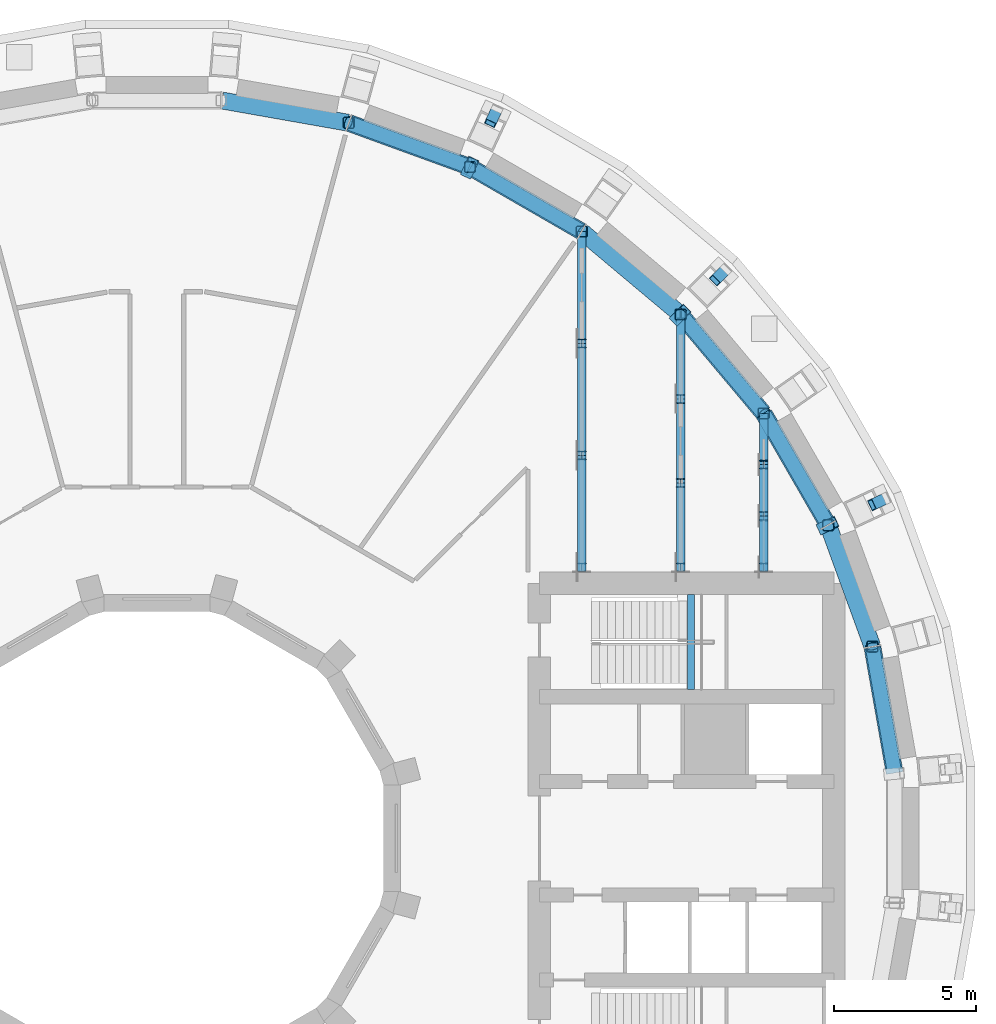
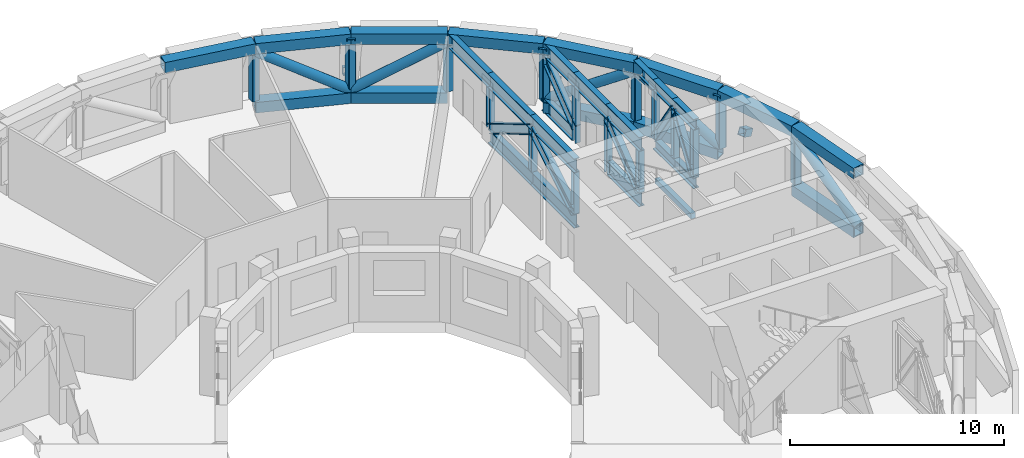
# One storey, part 5 of 19: 55 members, 7 beams.
"""IFC4 building model written with IfcOpenShell, lengths in metres."""

import ifcopenshell
import ifcopenshell.guid

model = None  # the IFC model being written
_history = None  # IfcOwnerHistory: only IFC2X3 demands one
_inside = {}  # id of a spatial element -> (the spatial element, [elements in it])
_under = {}  # id of a project, library or spatial element -> (it, [spatial elements below it])
_declared = {}  # id of a project -> (the project, [libraries it declares])
_typed = {}  # id of a type object -> (the type object, [elements of that type])
_made_of = {}  # id of a material, layer set ... -> (it, [elements and type objects made of it])


def new_model(schema):
    """Start an empty IFC model of exactly this schema.

    Asked for "IFC4X3", IfcOpenShell would pick the latest addendum, in which some entities
    have other attributes; the version numbers below select the first issue.
    IFC2X3 requires an IfcOwnerHistory on every rooted entity: one is made here for all.
    """
    global model, _history
    if schema == "IFC4X3":
        model = ifcopenshell.file(schema_version=(4, 3, 0, 0))
    else:
        model = ifcopenshell.file(schema=schema)
    _inside.clear()
    _under.clear()
    _declared.clear()
    _typed.clear()
    _made_of.clear()
    _history = None
    if model.schema == "IFC2X3":
        org = make("IfcOrganization", Name="unknown")
        user = make(
            "IfcPersonAndOrganization",
            ThePerson=make("IfcPerson", FamilyName="unknown"),
            TheOrganization=org,
        )
        app = make(
            "IfcApplication",
            ApplicationDeveloper=org,
            Version="unknown",
            ApplicationFullName="unknown",
            ApplicationIdentifier="unknown",
        )
        _history = make(
            "IfcOwnerHistory",
            OwningUser=user,
            OwningApplication=app,
            ChangeAction="ADDED",
            CreationDate=0,
        )
    return model


def make(cls, **values):
    """One entity of the class cls with the attributes given. An attribute that is None is left unset."""
    return model.create_entity(
        cls, **{name: value for name, value in values.items() if value is not None}
    )


def rooted(cls, **values):
    """An entity with a GlobalId (a new one), such as an element, a storey or a relation."""
    return make(cls, GlobalId=ifcopenshell.guid.new(), OwnerHistory=_history, **values)


def si_unit(unit_type, name, prefix=None):
    """IfcSIUnit, for example si_unit("LENGTHUNIT", "METRE", prefix="MILLI")."""
    return make("IfcSIUnit", UnitType=unit_type, Prefix=prefix, Name=name)


def assignment(units):
    """IfcUnitAssignment: the units of a project."""
    return None if units is None else make("IfcUnitAssignment", Units=units)


def point(xyz):
    """IfcCartesianPoint."""
    return None if xyz is None else make("IfcCartesianPoint", Coordinates=xyz)


def direction(xyz):
    """IfcDirection."""
    return None if xyz is None else make("IfcDirection", DirectionRatios=xyz)


def frame(location, z_axis=None, x_axis=None):
    """IfcAxis2Placement3D, a coordinate frame: its origin and axes. An axis left out is left unset."""
    return make(
        "IfcAxis2Placement3D",
        Location=point(location),
        Axis=direction(z_axis),
        RefDirection=direction(x_axis),
    )


def frame_2d(location, x_axis=None):
    """IfcAxis2Placement2D, a coordinate frame in the plane: its origin and x axis."""
    return make(
        "IfcAxis2Placement2D", Location=point(location), RefDirection=direction(x_axis)
    )


def origin():
    """The frame at (0, 0, 0) with its axes left unset."""
    return frame((0.0, 0.0, 0.0))


def origin_2d():
    """The frame at (0, 0) in the plane with its x axis left unset."""
    return frame_2d((0.0, 0.0))


def place(relative_to, where):
    """IfcLocalPlacement: puts the frame where relative to a parent placement (None: the world)."""
    return make(
        "IfcLocalPlacement", PlacementRelTo=relative_to, RelativePlacement=where
    )


def context(
    kind, dimensions, precision=None, world=None, true_north=None, identifier=None
):
    """IfcGeometricRepresentationContext, for example the 3D "Model" context."""
    return make(
        "IfcGeometricRepresentationContext",
        ContextIdentifier=identifier,
        ContextType=kind,
        CoordinateSpaceDimension=dimensions,
        Precision=precision,
        WorldCoordinateSystem=world,
        TrueNorth=true_north,
    )


def subcontext(parent, identifier, kind, view, scale=None):
    """IfcGeometricRepresentationSubContext, for example "Body" below "Model"."""
    return make(
        "IfcGeometricRepresentationSubContext",
        ContextIdentifier=identifier,
        ContextType=kind,
        ParentContext=parent,
        TargetScale=scale,
        TargetView=view,
    )


def project(units=None, contexts=None):
    """IfcProject with its units and contexts."""
    return rooted(
        "IfcProject",
        Name="project",
        RepresentationContexts=contexts,
        UnitsInContext=assignment(units),
    )


def spatial(cls, under=None, at=None, **own):
    """A site, building, storey or space (cls), placed at a placement, below another one or the project."""
    s = rooted(cls, ObjectPlacement=at, **own)
    if under is not None:
        _under.setdefault(under.id(), (under, []))[1].append(s)
    return s


def profile(cls, at=None, kind="AREA", **sizes):
    """A parametric profile (cls). Its sizes go by their IFC names, for example OverallWidth=200.0."""
    return make(cls, ProfileType=kind, Position=at, **sizes)


def rectangle(**sizes):
    """IfcRectangleProfileDef."""
    return profile("IfcRectangleProfileDef", **sizes)


def hollow_rectangle(**sizes):
    """IfcRectangleHollowProfileDef."""
    return profile("IfcRectangleHollowProfileDef", **sizes)


def hollow_circle(**sizes):
    """IfcCircleHollowProfileDef."""
    return profile("IfcCircleHollowProfileDef", **sizes)


def i_section(**sizes):
    """IfcIShapeProfileDef."""
    return profile("IfcIShapeProfileDef", **sizes)


def extrude(swept, where, along, depth):
    """IfcExtrudedAreaSolid: the profile swept, set in the frame where, extruded along a direction by depth."""
    return make(
        "IfcExtrudedAreaSolid",
        SweptArea=swept,
        Position=where,
        ExtrudedDirection=direction(along),
        Depth=depth,
    )


def shape(context_of_items, identifier, shape_type, items):
    """IfcShapeRepresentation: the items that make up one representation, for example the "Body"."""
    return make(
        "IfcShapeRepresentation",
        ContextOfItems=context_of_items,
        RepresentationIdentifier=identifier,
        RepresentationType=shape_type,
        Items=items,
    )


def material(Name=None, Category=None):
    """IfcMaterial."""
    return make("IfcMaterial", Name=Name, Category=Category)


def material_profile(
    of_material, cross_section, Name=None, Category=None, Priority=None
):
    """IfcMaterialProfile: a cross section and its material."""
    return make(
        "IfcMaterialProfile",
        Name=Name,
        Material=of_material,
        Profile=cross_section,
        Priority=Priority,
        Category=Category,
    )


def profile_set(profiles, Name=None, composite=None):
    """IfcMaterialProfileSet."""
    return make(
        "IfcMaterialProfileSet",
        Name=Name,
        MaterialProfiles=profiles,
        CompositeProfile=composite,
    )


def made_of(thing, what):
    """Note that an element or type object is made of a material, layer set ...; save() writes the relation."""
    if what is not None:
        _made_of.setdefault(what.id(), (what, []))[1].append(thing)
    return thing


def type_object(cls, material=None, **own):
    """A type object (cls), such as IfcWallType, which elements share."""
    return made_of(rooted(cls, **own), material)


def element(
    cls,
    number,
    at=None,
    inside=None,
    cuts=None,
    type_object=None,
    material=None,
    context=None,
    identifier="Body",
    shape_type=None,
    held_by="IfcProductDefinitionShape",
    body=None,
    shapes=None,
    **own,
):
    """One element of the class cls, such as IfcWall. Its Tag is "e" and its number.

    at: its placement. inside: the storey or other place that contains it. cuts: it is an
    opening in that element (IfcRelVoidsElement). A single representation is given by context,
    identifier, shape_type and body (its items); several are given by shapes. held_by: the class
    of the entity that holds the representations. save() writes the other relations.
    """
    e = rooted(cls, Tag="e%d" % number, ObjectPlacement=at, **own)
    if body is not None:
        shapes = [shape(context, identifier, shape_type, body)]
    if shapes is not None:
        e.Representation = make(held_by, Representations=shapes)
    if inside is not None:
        _inside.setdefault(inside.id(), (inside, []))[1].append(e)
    if cuts is not None:
        rooted(
            "IfcRelVoidsElement", RelatingBuildingElement=cuts, RelatedOpeningElement=e
        )
    if type_object is not None:
        _typed.setdefault(type_object.id(), (type_object, []))[1].append(e)
    return made_of(e, material)


def aggregate(whole, parts):
    """IfcRelAggregates: a whole, such as a stair, and the parts it consists of."""
    return rooted("IfcRelAggregates", RelatingObject=whole, RelatedObjects=parts)


def save(model, path):
    """Write the relations noted so far, then the file.

    IfcRelAggregates (storeys below a building ...), IfcRelContainedInSpatialStructure (elements
    in a storey), IfcRelDefinesByType, IfcRelAssociatesMaterial and IfcRelDeclares: one each for
    every whole, place, type object, material and project.
    """
    for whole, parts in _under.values():
        aggregate(whole, parts)
    for where, things in _inside.values():
        rooted(
            "IfcRelContainedInSpatialStructure",
            RelatedElements=things,
            RelatingStructure=where,
        )
    for kind, things in _typed.values():
        rooted("IfcRelDefinesByType", RelatedObjects=things, RelatingType=kind)
    for what, things in _made_of.values():
        rooted("IfcRelAssociatesMaterial", RelatedObjects=things, RelatingMaterial=what)
    for by, libraries in _declared.values():
        rooted("IfcRelDeclares", RelatingContext=by, RelatedDefinitions=libraries)
    model.write(path)


model = new_model("IFC4")

# Units and contexts
model_context = context("Model", 3, precision=1e-05, world=origin(), true_north=direction((0.0, 1.0)))
body_context = subcontext(model_context, "Body", "Model", "MODEL_VIEW")
ifc_project = project(units=[si_unit("LENGTHUNIT", "METRE"), si_unit("AREAUNIT", "SQUARE_METRE"), si_unit("VOLUMEUNIT", "CUBIC_METRE"), si_unit("PLANEANGLEUNIT", "RADIAN"), si_unit("MASSUNIT", "GRAM", prefix="KILO")], contexts=[model_context])

# Site, building, storey
site_placement = place(None, origin())
site = spatial("IfcSite", under=ifc_project, at=site_placement, CompositionType="ELEMENT")
building_placement = place(site_placement, origin())
building = spatial("IfcBuilding", under=site, at=building_placement, Name="Saqina Gate Tower", CompositionType="ELEMENT")
storey_placement = place(building_placement, frame((0.0, 0.0, 82.39990234375)))
storey = spatial("IfcBuildingStorey", under=building, at=storey_placement, Name="L23", CompositionType="ELEMENT", Elevation=82.39990234375)

# Beam
ifc_material_1 = material(Name="Concrete C40/50", Category="concrete")
ifc_material_profile_1 = material_profile(ifc_material_1, rectangle(XDim=0.25, YDim=0.300048828125, at=origin_2d()), Name="STAIR LANDING BEAM")
ifc_profile_set_1 = profile_set([ifc_material_profile_1], Name="Concrete C40/50")
beam_type_1 = type_object("IfcBeamType", Name="STAIR LANDING BEAM", PredefinedType="BEAM", material=ifc_profile_set_1)
beam_placement = place(storey_placement, frame((18.860107421875, 5.25, 1.85009765625), z_axis=(0.0, 1.0, 0.0), x_axis=(-1.0, 0.0, 0.0)))
element("IfcBeam", 1, at=beam_placement, inside=storey, type_object=beam_type_1, Name="EXIT STAIR 1 LANDING BEAM", PredefinedType="BEAM", context=body_context, shape_type="SweptSolid", body=[
    extrude(rectangle(XDim=0.25, YDim=0.300048828125, at=origin_2d()), origin(), (0.0, 0.0, 1.0), 3.35009765625),
])

# Members
ifc_material_2 = material(Name="Steel S460", Category="steel")
ifc_material_profile_2 = material_profile(ifc_material_2, hollow_rectangle(XDim=0.60009765625, YDim=0.60009765625, WallThickness=0.050048828125, at=origin_2d()), Name="BOX 600x600x50")
ifc_profile_set_2 = profile_set([ifc_material_profile_2], Name="Steel S460")
member_type_1 = type_object("IfcMemberType", Name="STR-BELT TRUSS L23 CHORD-BOX 600x600x50", PredefinedType="CHORD", material=ifc_profile_set_2)
for number, where, z_axis, x_axis, name in (
    (2, (26.0458984375, 2.304931640625, 0.300048828125), (-0.173661689795, 0.984805370364, 0.0), (-0.984805370364, -0.173661689795, 0.0), "BELT TRUSS L23 CHORD 001"),
    (3, (26.0458984375, 2.304931640625, 3.650146484375), (-0.173661689795, 0.984805370364, 0.0), (-0.984805370364, -0.173661689795, 0.0), "BELT TRUSS L23 CHORD 002"),
):
    element("IfcMember", number, at=place(storey_placement, frame(where, z_axis=z_axis, x_axis=x_axis)), inside=storey, type_object=member_type_1, Name=name, PredefinedType="CHORD", context=body_context, shape_type="SweptSolid", body=[
        extrude(hollow_rectangle(XDim=0.60009765625, YDim=0.60009765625, WallThickness=0.050048828125, at=origin_2d()), origin(), (0.0, 0.0, 1.0), 4.505615234375),
    ])
for number, where, z_axis, x_axis, name in (
    (4, (25.25, 6.792724609375, 3.650146484375), (-0.342004078246, 0.939698467841, 0.0), (-0.939698467841, -0.342004078246, 0.0), "BELT TRUSS L23 CHORD 004"),
    (5, (23.686767578125, 11.07421875, 0.300048828125), (-0.500008560247, 0.866020461467, 0.0), (-0.866020461467, -0.500008560247, 0.0), "BELT TRUSS L23 CHORD 005"),
    (6, (23.686767578125, 11.07421875, 3.650146484375), (-0.500008560247, 0.866020461467, 0.0), (-0.866020461467, -0.500008560247, 0.0), "BELT TRUSS L23 CHORD 006"),
    (7, (21.404052734375, 15.01904296875, 0.300048828125), (-0.642781549747, 0.766049527971, 0.0), (-0.766049527971, -0.642781549747, 0.0), "BELT TRUSS L23 CHORD 008"),
    (8, (21.404052734375, 15.01904296875, 3.650146484375), (-0.642781549747, 0.766049527971, 0.0), (-0.766049527971, -0.642781549747, 0.0), "BELT TRUSS L23 CHORD 009"),
    (9, (18.470703125, 18.5078125, 3.650146484375), (-0.766049527971, 0.642781549747, 0.0), (-0.642781549747, -0.766049527971, 0.0), "BELT TRUSS L23 CHORD 011"),
    (10, (14.976318359375, 21.433837890625, 0.300048828125), (-0.866020461467, 0.500008560247, 0.0), (-0.500008560247, -0.866020461467, 0.0), "BELT TRUSS L23 CHORD 012"),
    (11, (14.976318359375, 21.433837890625, 3.650146484375), (-0.866020461467, 0.500008560247, 0.0), (-0.500008560247, -0.866020461467, 0.0), "BELT TRUSS L23 CHORD 013"),
    (12, (11.02685546875, 23.708984375, 0.300048828125), (-0.939698467841, 0.342004078246, 0.0), (-0.342004078246, -0.939698467841, 0.0), "BELT TRUSS L23 CHORD 015"),
    (13, (11.02685546875, 23.708984375, 3.650146484375), (-0.939698467841, 0.342004078246, 0.0), (-0.342004078246, -0.939698467841, 0.0), "BELT TRUSS L23 CHORD 016"),
):
    element("IfcMember", number, at=place(storey_placement, frame(where, z_axis=z_axis, x_axis=x_axis)), inside=storey, type_object=member_type_1, Name=name, PredefinedType="CHORD", context=body_context, shape_type="SweptSolid", body=[
        extrude(hollow_rectangle(XDim=0.60009765625, YDim=0.60009765625, WallThickness=0.050048828125, at=origin_2d()), origin(), (0.0, 0.0, 1.0), 4.505859375),
    ])
member_1_placement = place(storey_placement, frame((6.7421875, 25.263427734375, 3.650146484375), z_axis=(-0.984805370364, 0.173661689795, 0.0), x_axis=(-0.173661689795, -0.984805370364, 0.0)))
element("IfcMember", 14, at=member_1_placement, inside=storey, type_object=member_type_1, Name="BELT TRUSS L23 CHORD 018", PredefinedType="CHORD", context=body_context, shape_type="SweptSolid", body=[
    extrude(hollow_rectangle(XDim=0.60009765625, YDim=0.60009765625, WallThickness=0.050048828125, at=origin_2d()), origin(), (0.0, 0.0, 1.0), 4.505615234375),
])
ifc_material_3 = material(Name="Steel S460", Category="steel")
ifc_material_profile_3 = material_profile(ifc_material_3, hollow_circle(Radius=0.25390625, WallThickness=0.02001953125, at=origin_2d()), Name="CHS 508x20")
ifc_profile_set_3 = profile_set([ifc_material_profile_3], Name="Steel S460")
member_type_2 = type_object("IfcMemberType", Name="STR-BELT TRUSS L23 DIAGONAL-CHS 508x20", PredefinedType="BRACE", material=ifc_profile_set_3)
for number, where, z_axis, x_axis, name in (
    (15, (26.05224609375, 2.26904296875, 0.593994140625), (-0.148698900419, 0.843251056415, 0.516542634125), (-0.984805558509, -0.173660622851, 0.0), "BELT TRUSS L23 DIAGONAL 003"),
    (16, (23.705078125, 11.04248046875, 0.593994140625), (-0.428116708438, 0.741545438674, 0.516552462329), (-0.866032862936, -0.499987080147, 0.0), "BELT TRUSS L23 DIAGONAL 007"),
):
    element("IfcMember", number, at=place(storey_placement, frame(where, z_axis=z_axis, x_axis=x_axis)), inside=storey, type_object=member_type_2, Name=name, PredefinedType="BRACE", context=body_context, shape_type="SweptSolid", body=[
        extrude(hollow_circle(Radius=0.25390625, WallThickness=0.02001953125, at=origin_2d()), origin(), (0.0, 0.0, 1.0), 5.347412109375),
    ])
member_2_placement = place(storey_placement, frame((21.427490234375, 14.9912109375, 3.356201171875), z_axis=(-0.550413681334, 0.655921811524, -0.51653785589), x_axis=(-0.766027230589, -0.642808122223, 0.0)))
element("IfcMember", 17, at=member_2_placement, inside=storey, type_object=member_type_2, Name="BELT TRUSS L23 DIAGONAL 010", PredefinedType="BRACE", context=body_context, shape_type="SweptSolid", body=[
    extrude(hollow_circle(Radius=0.25390625, WallThickness=0.02001953125, at=origin_2d()), origin(), (0.0, 0.0, 1.0), 5.34765625),
])
member_3_placement = place(storey_placement, frame((15.0078125, 21.415771484375, 3.356201171875), z_axis=(-0.741545438674, 0.428116708438, -0.516552462329), x_axis=(-0.499987080147, -0.866032862936, 0.0)))
element("IfcMember", 18, at=member_3_placement, inside=storey, type_object=member_type_2, Name="BELT TRUSS L23 DIAGONAL 014", PredefinedType="BRACE", context=body_context, shape_type="SweptSolid", body=[
    extrude(hollow_circle(Radius=0.25390625, WallThickness=0.02001953125, at=origin_2d()), origin(), (0.0, 0.0, 1.0), 5.347412109375),
])
member_4_placement = place(storey_placement, frame((11.06103515625, 23.696533203125, 0.593994140625), z_axis=(-0.804614184713, 0.292844315993, 0.516563858926), x_axis=(-0.34200849274, -0.939696861171, 0.0)))
element("IfcMember", 19, at=member_4_placement, inside=storey, type_object=member_type_2, Name="BELT TRUSS L23 DIAGONAL 017", PredefinedType="BRACE", context=body_context, shape_type="SweptSolid", body=[
    extrude(hollow_circle(Radius=0.25390625, WallThickness=0.02001953125, at=origin_2d()), origin(), (0.0, 0.0, 1.0), 5.34716796875),
])
ifc_material_4 = material(Name="Steel S460", Category="steel")
ifc_material_profile_4 = material_profile(ifc_material_4, hollow_rectangle(XDim=0.39990234375, YDim=0.39990234375, WallThickness=0.02001953125, InnerFilletRadius=0.0400390625, OuterFilletRadius=0.06005859375, at=origin_2d()), Name="SHS 400x400x20")
ifc_profile_set_4 = profile_set([ifc_material_profile_4], Name="Steel S460")
member_type_3 = type_object("IfcMemberType", Name="STR-BELT TRUSS L23 POST-SHS 400x400x20", PredefinedType="POST", material=ifc_profile_set_4)
for number, where, z_axis, x_axis, name in (
    (20, (25.259033203125, 6.76806640625, 0.60009765625), (0.0, 0.0, 1.0), (1.0, 0.0, 0.0), "BELT TRUSS L23 POST 085"),
    (21, (23.699951171875, 11.051513671875, 0.60009765625), (0.0, 0.0, 1.0), (1.0, 0.0, 0.0), "BELT TRUSS L23 POST 086"),
    (22, (21.4208984375, 14.9990234375, 0.60009765625), (0.0, 0.0, 1.0), (1.0, 0.0, 0.0), "BELT TRUSS L23 POST 087"),
    (23, (18.49072265625, 18.49072265625, 0.60009765625), (0.0, 0.0, 1.0), (1.0, 0.0, 0.0), "BELT TRUSS L23 POST 088"),
    (24, (14.9990234375, 21.4208984375, 0.60009765625), (0.0, 0.0, 1.0), (1.0, 0.0, 0.0), "BELT TRUSS L23 POST 089"),
    (25, (11.051513671875, 23.699951171875, 0.60009765625), (0.0, 0.0, 1.0), (1.0, 0.0, 0.0), "BELT TRUSS L23 POST 090"),
    (26, (6.76806640625, 25.259033203125, 0.60009765625), (0.0, 0.0, 1.0), (1.0, 0.0, 0.0), "BELT TRUSS L23 POST 091"),
):
    element("IfcMember", number, at=place(storey_placement, frame(where, z_axis=z_axis, x_axis=x_axis)), inside=storey, type_object=member_type_3, Name=name, PredefinedType="POST", context=body_context, shape_type="SweptSolid", body=[
        extrude(hollow_rectangle(XDim=0.39990234375, YDim=0.39990234375, WallThickness=0.02001953125, InnerFilletRadius=0.0400390625, OuterFilletRadius=0.06005859375, at=origin_2d()), origin(), (0.0, 0.0, 1.0), 2.75),
    ])

# Beams
ifc_material_5 = material(Name="Steel S460", Category="steel")
ifc_material_profile_5 = material_profile(ifc_material_5, hollow_rectangle(XDim=0.39990234375, YDim=0.39990234375, WallThickness=0.030029296875, at=origin_2d()), Name="BOX 400x400x30")
ifc_profile_set_5 = profile_set([ifc_material_profile_5], Name="Steel S460")
beam_type_2 = type_object("IfcBeamType", Name="STR-NODE TIE BEAM L23-BOX 400x400x30", PredefinedType="BEAM", material=ifc_profile_set_5)
for number, where, z_axis, x_axis, name in (
    (27, (25.7392578125, 12.00244140625, 0.18212890625), (-0.824702421307, -0.384484184664, 0.414774430305), (0.42254525848, -0.906341825437, 0.0), "NODE TIE BEAM L23 03 FOOT"),
    (28, (23.427978515625, 10.9248046875, 3.517333984375), (0.824702421307, 0.384484184664, 0.414774430305), (-0.42254525848, 0.906341825437, 0.0), "NODE TIE BEAM L23 03 HEAD"),
    (29, (20.081787109375, 20.081787109375, 0.18212890625), (-0.643405223047, -0.643405223047, 0.414800479642), (0.707106781187, -0.707106781187, 0.0), "NODE TIE BEAM L23 05 FOOT"),
    (30, (18.27880859375, 18.27880859375, 3.517333984375), (0.643405223047, 0.643405223047, 0.414800479642), (-0.707106781187, 0.707106781187, 0.0), "NODE TIE BEAM L23 05 HEAD"),
    (31, (12.00244140625, 25.7392578125, 0.18212890625), (-0.384484184664, -0.824702421307, 0.414774430305), (0.906341825437, -0.42254525848, 0.0), "NODE TIE BEAM L23 07 FOOT"),
    (32, (10.9248046875, 23.427978515625, 3.517333984375), (0.384484184664, 0.824702421307, 0.414774430305), (-0.906341825437, 0.42254525848, 0.0), "NODE TIE BEAM L23 07 HEAD"),
):
    element("IfcBeam", number, at=place(storey_placement, frame(where, z_axis=z_axis, x_axis=x_axis)), inside=storey, type_object=beam_type_2, Name=name, PredefinedType="BEAM", context=body_context, shape_type="SweptSolid", body=[
        extrude(hollow_rectangle(XDim=0.39990234375, YDim=0.39990234375, WallThickness=0.030029296875, at=origin_2d()), origin(), (0.0, 0.0, 1.0), 0.6044921875),
    ])

# Members
ifc_material_6 = material(Name="Steel S460", Category="steel")
ifc_material_profile_6 = material_profile(ifc_material_6, i_section(OverallWidth=0.304931640625, OverallDepth=0.6201171875, WebThickness=0.02099609375, FlangeThickness=0.0400390625, FilletRadius=0.027099609375, at=origin_2d()), Name="HE 600 M")
ifc_profile_set_6 = profile_set([ifc_material_profile_6], Name="Steel S460")
member_type_4 = type_object("IfcMemberType", Name="STR-OUTRIGGER TRUSS L23 CHORD-HE 600 M", PredefinedType="CHORD", material=ifc_profile_set_6)
for number, where, z_axis, x_axis, name in (
    (33, (21.4208984375, 9.41796875, 0.31005859375), (0.0, 1.0, 0.0), (-1.0, 0.0, 0.0), "OUTRIGGER TRUSS L23 CHORD 120"),
    (34, (21.4208984375, 9.41796875, 3.64013671875), (0.0, 1.0, 0.0), (-1.0, 0.0, 0.0), "OUTRIGGER TRUSS L23 CHORD 121"),
):
    element("IfcMember", number, at=place(storey_placement, frame(where, z_axis=z_axis, x_axis=x_axis)), inside=storey, type_object=member_type_4, Name=name, PredefinedType="CHORD", context=body_context, shape_type="SweptSolid", body=[
        extrude(i_section(OverallWidth=0.304931640625, OverallDepth=0.6201171875, WebThickness=0.02099609375, FlangeThickness=0.0400390625, FilletRadius=0.027099609375, at=origin_2d()), origin(), (0.0, 0.0, 1.0), 1.96044921875),
    ])
for number, where, z_axis, x_axis, name in (
    (35, (21.4208984375, 11.37841796875, 0.31005859375), (0.0, 1.0, 0.0), (-1.0, 0.0, 0.0), "OUTRIGGER TRUSS L23 CHORD 123"),
    (36, (21.4208984375, 11.37841796875, 3.64013671875), (0.0, 1.0, 0.0), (-1.0, 0.0, 0.0), "OUTRIGGER TRUSS L23 CHORD 124"),
    (37, (21.4208984375, 13.188720703125, 3.64013671875), (0.0, 1.0, 0.0), (-1.0, 0.0, 0.0), "OUTRIGGER TRUSS L23 CHORD 126"),
):
    element("IfcMember", number, at=place(storey_placement, frame(where, z_axis=z_axis, x_axis=x_axis)), inside=storey, type_object=member_type_4, Name=name, PredefinedType="CHORD", context=body_context, shape_type="SweptSolid", body=[
        extrude(i_section(OverallWidth=0.304931640625, OverallDepth=0.6201171875, WebThickness=0.02099609375, FlangeThickness=0.0400390625, FilletRadius=0.027099609375, at=origin_2d()), origin(), (0.0, 0.0, 1.0), 1.810302734375),
    ])
ifc_material_7 = material(Name="Steel S460", Category="steel")
ifc_material_profile_7 = material_profile(ifc_material_7, i_section(OverallWidth=0.306884765625, OverallDepth=0.431884765625, WebThickness=0.02099609375, FlangeThickness=0.0400390625, FilletRadius=0.027099609375, at=origin_2d()), Name="HE 400 M")
ifc_profile_set_7 = profile_set([ifc_material_profile_7], Name="Steel S460")
member_type_5 = type_object("IfcMemberType", Name="STR-OUTRIGGER TRUSS L23 DIAGONAL-HE 400 M", PredefinedType="BRACE", material=ifc_profile_set_7)
for number, where, z_axis, x_axis, name in (
    (38, (21.4208984375, 9.561279296875, 0.610107421875), (0.0, 0.555489335201, 0.831523660805), (-1.0, 0.0, 0.0), "OUTRIGGER TRUSS L23 DIAGONAL 122"),
    (39, (21.4208984375, 11.37158203125, 3.340087890625), (0.0, 0.555489335201, -0.831523660805), (-1.0, 0.0, 0.0), "OUTRIGGER TRUSS L23 DIAGONAL 125"),
):
    element("IfcMember", number, at=place(storey_placement, frame(where, z_axis=z_axis, x_axis=x_axis)), inside=storey, type_object=member_type_5, Name=name, PredefinedType="BRACE", context=body_context, shape_type="SweptSolid", body=[
        extrude(i_section(OverallWidth=0.306884765625, OverallDepth=0.431884765625, WebThickness=0.02099609375, FlangeThickness=0.0400390625, FilletRadius=0.027099609375, at=origin_2d()), origin(), (0.0, 0.0, 1.0), 3.283203125),
    ])
ifc_material_8 = material(Name="Steel S460", Category="steel")
ifc_material_profile_8 = material_profile(ifc_material_8, i_section(OverallWidth=0.300048828125, OverallDepth=0.800048828125, WebThickness=0.017578125, FlangeThickness=0.032958984375, FilletRadius=0.030029296875, at=origin_2d()), Name="HE 800 B")
ifc_profile_set_8 = profile_set([ifc_material_profile_8], Name="Steel S460")
member_type_6 = type_object("IfcMemberType", Name="STR-OUTRIGGER TRUSS L23 LONG CHORD-HE 800 B", PredefinedType="CHORD", material=ifc_profile_set_8)
member_5_placement = place(storey_placement, frame((18.49072265625, 9.41796875, 0.400146484375), z_axis=(0.0, 1.0, 0.0), x_axis=(-1.0, 0.0, 0.0)))
element("IfcMember", 40, at=member_5_placement, inside=storey, type_object=member_type_6, Name="OUTRIGGER TRUSS L23 LONG CHORD 160", PredefinedType="CHORD", context=body_context, shape_type="SweptSolid", body=[
    extrude(i_section(OverallWidth=0.300048828125, OverallDepth=0.800048828125, WebThickness=0.017578125, FlangeThickness=0.032958984375, FilletRadius=0.030029296875, at=origin_2d()), origin(), (0.0, 0.0, 1.0), 2.974365234375),
])
member_6_placement = place(storey_placement, frame((18.49072265625, 9.41796875, 3.550048828125), z_axis=(0.0, 1.0, 0.0), x_axis=(-1.0, 0.0, 0.0)))
element("IfcMember", 41, at=member_6_placement, inside=storey, type_object=member_type_6, Name="OUTRIGGER TRUSS L23 LONG CHORD 161", PredefinedType="CHORD", context=body_context, shape_type="SweptSolid", body=[
    extrude(i_section(OverallWidth=0.300048828125, OverallDepth=0.800048828125, WebThickness=0.017578125, FlangeThickness=0.032958984375, FilletRadius=0.030029296875, at=origin_2d()), origin(), (0.0, 0.0, 1.0), 3.124267578125),
])
member_7_placement = place(storey_placement, frame((18.49072265625, 15.66650390625, 0.400146484375), z_axis=(0.0, 1.0, 0.0), x_axis=(-1.0, 0.0, 0.0)))
element("IfcMember", 42, at=member_7_placement, inside=storey, type_object=member_type_6, Name="OUTRIGGER TRUSS L23 LONG CHORD 163", PredefinedType="CHORD", context=body_context, shape_type="SweptSolid", body=[
    extrude(i_section(OverallWidth=0.300048828125, OverallDepth=0.800048828125, WebThickness=0.017578125, FlangeThickness=0.032958984375, FilletRadius=0.030029296875, at=origin_2d()), origin(), (0.0, 0.0, 1.0), 2.82421875),
])
member_8_placement = place(storey_placement, frame((18.49072265625, 15.5166015625, 3.550048828125), z_axis=(0.0, 1.0, 0.0), x_axis=(-1.0, 0.0, 0.0)))
element("IfcMember", 43, at=member_8_placement, inside=storey, type_object=member_type_6, Name="OUTRIGGER TRUSS L23 LONG CHORD 164", PredefinedType="CHORD", context=body_context, shape_type="SweptSolid", body=[
    extrude(i_section(OverallWidth=0.300048828125, OverallDepth=0.800048828125, WebThickness=0.017578125, FlangeThickness=0.032958984375, FilletRadius=0.030029296875, at=origin_2d()), origin(), (0.0, 0.0, 1.0), 2.97412109375),
])
member_9_placement = place(storey_placement, frame((18.49072265625, 12.542236328125, 3.550048828125), z_axis=(0.0, 1.0, 0.0), x_axis=(-1.0, 0.0, 0.0)))
element("IfcMember", 44, at=member_9_placement, inside=storey, type_object=member_type_6, Name="OUTRIGGER TRUSS L23 LONG CHORD 166", PredefinedType="CHORD", context=body_context, shape_type="SweptSolid", body=[
    extrude(i_section(OverallWidth=0.300048828125, OverallDepth=0.800048828125, WebThickness=0.017578125, FlangeThickness=0.032958984375, FilletRadius=0.030029296875, at=origin_2d()), origin(), (0.0, 0.0, 1.0), 2.974365234375),
])
for number, where, z_axis, x_axis, name in (
    (45, (14.9990234375, 9.41796875, 0.400146484375), (0.0, 1.0, 0.0), (-1.0, 0.0, 0.0), "OUTRIGGER TRUSS L23 LONG CHORD 200"),
    (46, (14.9990234375, 9.41796875, 3.550048828125), (0.0, 1.0, 0.0), (-1.0, 0.0, 0.0), "OUTRIGGER TRUSS L23 LONG CHORD 201"),
):
    element("IfcMember", number, at=place(storey_placement, frame(where, z_axis=z_axis, x_axis=x_axis)), inside=storey, type_object=member_type_6, Name=name, PredefinedType="CHORD", context=body_context, shape_type="SweptSolid", body=[
        extrude(i_section(OverallWidth=0.300048828125, OverallDepth=0.800048828125, WebThickness=0.017578125, FlangeThickness=0.032958984375, FilletRadius=0.030029296875, at=origin_2d()), origin(), (0.0, 0.0, 1.0), 4.10107421875),
    ])
for number, where, z_axis, x_axis, name in (
    (47, (14.9990234375, 13.51904296875, 0.400146484375), (0.0, 1.0, 0.0), (-1.0, 0.0, 0.0), "OUTRIGGER TRUSS L23 LONG CHORD 203"),
    (48, (14.9990234375, 13.51904296875, 3.550048828125), (0.0, 1.0, 0.0), (-1.0, 0.0, 0.0), "OUTRIGGER TRUSS L23 LONG CHORD 204"),
    (49, (14.9990234375, 17.469970703125, 3.550048828125), (0.0, 1.0, 0.0), (-1.0, 0.0, 0.0), "OUTRIGGER TRUSS L23 LONG CHORD 206"),
):
    element("IfcMember", number, at=place(storey_placement, frame(where, z_axis=z_axis, x_axis=x_axis)), inside=storey, type_object=member_type_6, Name=name, PredefinedType="CHORD", context=body_context, shape_type="SweptSolid", body=[
        extrude(i_section(OverallWidth=0.300048828125, OverallDepth=0.800048828125, WebThickness=0.017578125, FlangeThickness=0.032958984375, FilletRadius=0.030029296875, at=origin_2d()), origin(), (0.0, 0.0, 1.0), 3.950927734375),
    ])
ifc_material_9 = material(Name="Steel S460", Category="steel")
ifc_material_profile_9 = material_profile(ifc_material_9, i_section(OverallWidth=0.305908203125, OverallDepth=0.52392578125, WebThickness=0.02099609375, FlangeThickness=0.0400390625, FilletRadius=0.027099609375, at=origin_2d()), Name="HE 500 M")
ifc_profile_set_9 = profile_set([ifc_material_profile_9], Name="Steel S460")
member_type_7 = type_object("IfcMemberType", Name="STR-OUTRIGGER TRUSS L23 LONG DIAGONAL-HE 500 M", PredefinedType="BRACE", material=ifc_profile_set_9)
for number, where, z_axis, x_axis, name in (
    (50, (18.49072265625, 9.55859375, 0.792724609375), (0.0, 0.784663187604, 0.619922319342), (-1.0, 0.0, 0.0), "OUTRIGGER TRUSS L23 LONG DIAGONAL 162"),
    (51, (18.49072265625, 15.507080078125, 0.792724609375), (0.0, 0.784663187604, 0.619922319342), (-1.0, 0.0, 0.0), "OUTRIGGER TRUSS L23 LONG DIAGONAL 165"),
):
    element("IfcMember", number, at=place(storey_placement, frame(where, z_axis=z_axis, x_axis=x_axis)), inside=storey, type_object=member_type_7, Name=name, PredefinedType="BRACE", context=body_context, shape_type="SweptSolid", body=[
        extrude(i_section(OverallWidth=0.305908203125, OverallDepth=0.52392578125, WebThickness=0.02099609375, FlangeThickness=0.0400390625, FilletRadius=0.027099609375, at=origin_2d()), origin(), (0.0, 0.0, 1.0), 3.814697265625),
    ])
for number, where, z_axis, x_axis, name in (
    (52, (14.9990234375, 9.5576171875, 0.7939453125), (0.0, 0.859463118365, 0.511197758378), (-1.0, 0.0, 0.0), "OUTRIGGER TRUSS L23 LONG DIAGONAL 202"),
    (53, (14.9990234375, 13.508544921875, 3.15625), (0.0, 0.859463118365, -0.511197758378), (-1.0, 0.0, 0.0), "OUTRIGGER TRUSS L23 LONG DIAGONAL 205"),
):
    element("IfcMember", number, at=place(storey_placement, frame(where, z_axis=z_axis, x_axis=x_axis)), inside=storey, type_object=member_type_7, Name=name, PredefinedType="BRACE", context=body_context, shape_type="SweptSolid", body=[
        extrude(i_section(OverallWidth=0.305908203125, OverallDepth=0.52392578125, WebThickness=0.02099609375, FlangeThickness=0.0400390625, FilletRadius=0.027099609375, at=origin_2d()), origin(), (0.0, 0.0, 1.0), 4.62109375),
    ])
ifc_material_10 = material(Name="Steel S460", Category="steel")
ifc_material_profile_10 = material_profile(ifc_material_10, i_section(OverallWidth=0.300048828125, OverallDepth=0.300048828125, WebThickness=0.010986328125, FlangeThickness=0.01904296875, FilletRadius=0.027099609375, at=origin_2d()), Name="HE 300 B")
ifc_profile_set_10 = profile_set([ifc_material_profile_10], Name="Steel S460")
member_type_8 = type_object("IfcMemberType", Name="STR-OUTRIGGER TRUSS L23 LONG POST-HE 300 B", PredefinedType="POST", material=ifc_profile_set_10)
member_10_placement = place(storey_placement, frame((18.49072265625, 9.568115234375, 0.800048828125), z_axis=(0.0, 0.0, 1.0), x_axis=(1.0, 0.0, 0.0)))
element("IfcMember", 54, at=member_10_placement, inside=storey, type_object=member_type_8, Name="OUTRIGGER TRUSS L23 LONG POST 167", PredefinedType="POST", context=body_context, shape_type="SweptSolid", body=[
    extrude(i_section(OverallWidth=0.300048828125, OverallDepth=0.300048828125, WebThickness=0.010986328125, FlangeThickness=0.01904296875, FilletRadius=0.027099609375, at=origin_2d()), origin(), (0.0, 0.0, 1.0), 2.35009765625),
])
for number, where, z_axis, x_axis, name in (
    (55, (18.49072265625, 12.542236328125, 0.0), (0.0, 0.0, 1.0), (1.0, 0.0, 0.0), "OUTRIGGER TRUSS L23 LONG POST 168"),
    (56, (18.49072265625, 15.5166015625, 0.0), (0.0, 0.0, 1.0), (1.0, 0.0, 0.0), "OUTRIGGER TRUSS L23 LONG POST 169"),
):
    element("IfcMember", number, at=place(storey_placement, frame(where, z_axis=z_axis, x_axis=x_axis)), inside=storey, type_object=member_type_8, Name=name, PredefinedType="POST", context=body_context, shape_type="SweptSolid", body=[
        extrude(i_section(OverallWidth=0.300048828125, OverallDepth=0.300048828125, WebThickness=0.010986328125, FlangeThickness=0.01904296875, FilletRadius=0.027099609375, at=origin_2d()), origin(), (0.0, 0.0, 1.0), 3.150146484375),
    ])
for number, where, z_axis, x_axis, name in (
    (57, (14.9990234375, 9.568115234375, 0.800048828125), (0.0, 0.0, 1.0), (1.0, 0.0, 0.0), "OUTRIGGER TRUSS L23 LONG POST 207"),
    (58, (14.9990234375, 13.51904296875, 0.800048828125), (0.0, 0.0, 1.0), (1.0, 0.0, 0.0), "OUTRIGGER TRUSS L23 LONG POST 208"),
    (59, (14.9990234375, 17.469970703125, 0.800048828125), (0.0, 0.0, 1.0), (1.0, 0.0, 0.0), "OUTRIGGER TRUSS L23 LONG POST 209"),
):
    element("IfcMember", number, at=place(storey_placement, frame(where, z_axis=z_axis, x_axis=x_axis)), inside=storey, type_object=member_type_8, Name=name, PredefinedType="POST", context=body_context, shape_type="SweptSolid", body=[
        extrude(i_section(OverallWidth=0.300048828125, OverallDepth=0.300048828125, WebThickness=0.010986328125, FlangeThickness=0.01904296875, FilletRadius=0.027099609375, at=origin_2d()), origin(), (0.0, 0.0, 1.0), 2.35009765625),
    ])
ifc_material_11 = material(Name="Steel S460", Category="steel")
ifc_material_profile_11 = material_profile(ifc_material_11, i_section(OverallWidth=0.300048828125, OverallDepth=0.300048828125, WebThickness=0.010986328125, FlangeThickness=0.01904296875, FilletRadius=0.027099609375, at=origin_2d()), Name="HE 300 B")
ifc_profile_set_11 = profile_set([ifc_material_profile_11], Name="Steel S460")
member_type_9 = type_object("IfcMemberType", Name="STR-OUTRIGGER TRUSS L23 POST-HE 300 B", PredefinedType="POST", material=ifc_profile_set_11)
for number, where, z_axis, x_axis, name in (
    (60, (21.4208984375, 9.568115234375, 0.6201171875), (0.0, 0.0, 1.0), (1.0, 0.0, 0.0), "OUTRIGGER TRUSS L23 POST 127"),
    (61, (21.4208984375, 11.37841796875, 0.6201171875), (0.0, 0.0, 1.0), (1.0, 0.0, 0.0), "OUTRIGGER TRUSS L23 POST 128"),
    (62, (21.4208984375, 13.188720703125, 0.6201171875), (0.0, 0.0, 1.0), (1.0, 0.0, 0.0), "OUTRIGGER TRUSS L23 POST 129"),
):
    element("IfcMember", number, at=place(storey_placement, frame(where, z_axis=z_axis, x_axis=x_axis)), inside=storey, type_object=member_type_9, Name=name, PredefinedType="POST", context=body_context, shape_type="SweptSolid", body=[
        extrude(i_section(OverallWidth=0.300048828125, OverallDepth=0.300048828125, WebThickness=0.010986328125, FlangeThickness=0.01904296875, FilletRadius=0.027099609375, at=origin_2d()), origin(), (0.0, 0.0, 1.0), 2.7099609375),
    ])

save(model, "model.ifc")
